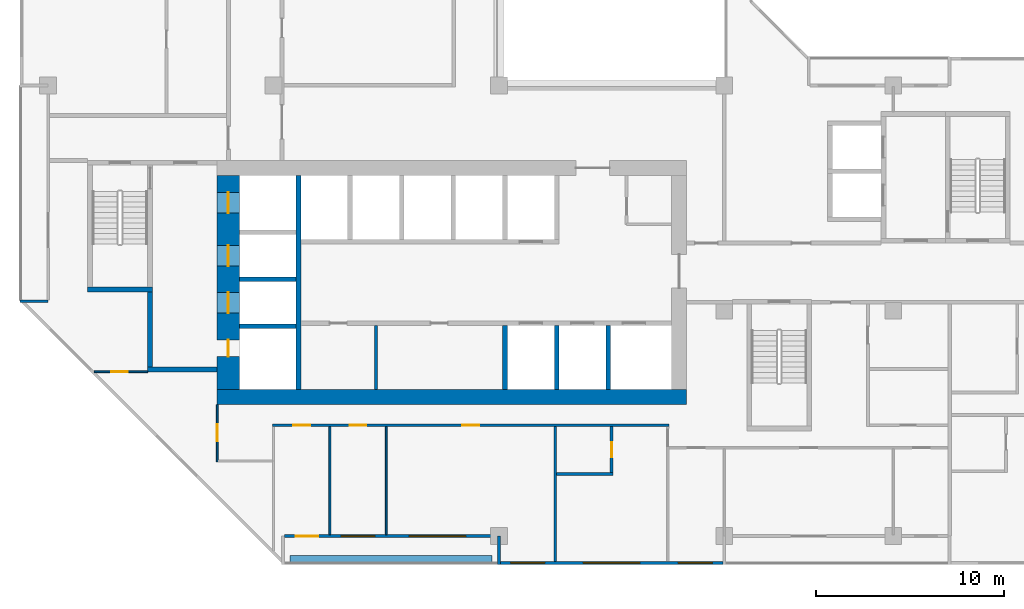
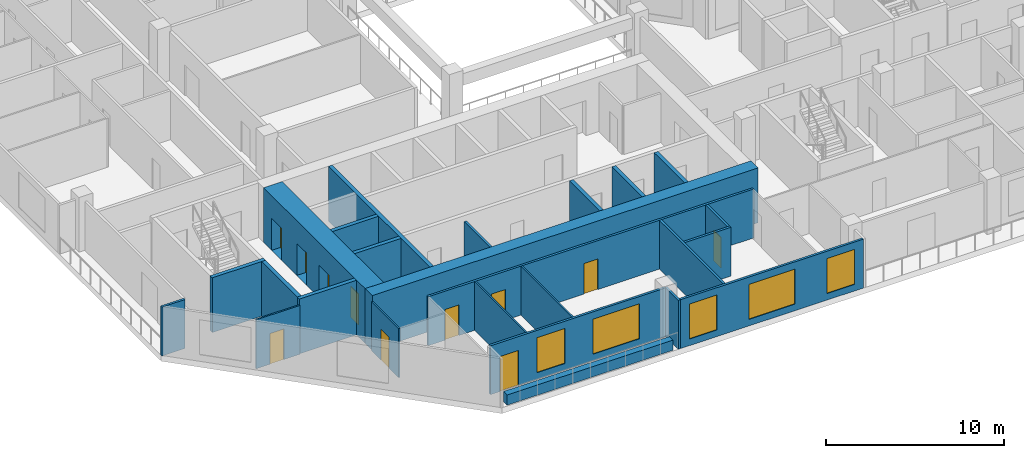
# One storey, part 4 of 14: 25 walls, 11 doors, 5 windows, 16 openings.
"""IFC4 building model written with IfcOpenShell, lengths in metres."""

import ifcopenshell
import ifcopenshell.guid

model = None  # the IFC model being written
_history = None  # IfcOwnerHistory: only IFC2X3 demands one
_inside = {}  # id of a spatial element -> (the spatial element, [elements in it])
_under = {}  # id of a project, library or spatial element -> (it, [spatial elements below it])
_declared = {}  # id of a project -> (the project, [libraries it declares])
_typed = {}  # id of a type object -> (the type object, [elements of that type])
_made_of = {}  # id of a material, layer set ... -> (it, [elements and type objects made of it])


def new_model(schema):
    """Start an empty IFC model of exactly this schema.

    Asked for "IFC4X3", IfcOpenShell would pick the latest addendum, in which some entities
    have other attributes; the version numbers below select the first issue.
    IFC2X3 requires an IfcOwnerHistory on every rooted entity: one is made here for all.
    """
    global model, _history
    if schema == "IFC4X3":
        model = ifcopenshell.file(schema_version=(4, 3, 0, 0))
    else:
        model = ifcopenshell.file(schema=schema)
    _inside.clear()
    _under.clear()
    _declared.clear()
    _typed.clear()
    _made_of.clear()
    _history = None
    if model.schema == "IFC2X3":
        org = make("IfcOrganization", Name="unknown")
        user = make(
            "IfcPersonAndOrganization",
            ThePerson=make("IfcPerson", FamilyName="unknown"),
            TheOrganization=org,
        )
        app = make(
            "IfcApplication",
            ApplicationDeveloper=org,
            Version="unknown",
            ApplicationFullName="unknown",
            ApplicationIdentifier="unknown",
        )
        _history = make(
            "IfcOwnerHistory",
            OwningUser=user,
            OwningApplication=app,
            ChangeAction="ADDED",
            CreationDate=0,
        )
    return model


def make(cls, **values):
    """One entity of the class cls with the attributes given. An attribute that is None is left unset."""
    return model.create_entity(
        cls, **{name: value for name, value in values.items() if value is not None}
    )


def rooted(cls, **values):
    """An entity with a GlobalId (a new one), such as an element, a storey or a relation."""
    return make(cls, GlobalId=ifcopenshell.guid.new(), OwnerHistory=_history, **values)


def si_unit(unit_type, name, prefix=None):
    """IfcSIUnit, for example si_unit("LENGTHUNIT", "METRE", prefix="MILLI")."""
    return make("IfcSIUnit", UnitType=unit_type, Prefix=prefix, Name=name)


def assignment(units):
    """IfcUnitAssignment: the units of a project."""
    return None if units is None else make("IfcUnitAssignment", Units=units)


def point(xyz):
    """IfcCartesianPoint."""
    return None if xyz is None else make("IfcCartesianPoint", Coordinates=xyz)


def direction(xyz):
    """IfcDirection."""
    return None if xyz is None else make("IfcDirection", DirectionRatios=xyz)


def frame(location, z_axis=None, x_axis=None):
    """IfcAxis2Placement3D, a coordinate frame: its origin and axes. An axis left out is left unset."""
    return make(
        "IfcAxis2Placement3D",
        Location=point(location),
        Axis=direction(z_axis),
        RefDirection=direction(x_axis),
    )


def frame_2d(location, x_axis=None):
    """IfcAxis2Placement2D, a coordinate frame in the plane: its origin and x axis."""
    return make(
        "IfcAxis2Placement2D", Location=point(location), RefDirection=direction(x_axis)
    )


def origin():
    """The frame at (0, 0, 0) with its axes left unset."""
    return frame((0.0, 0.0, 0.0))


def place(relative_to, where):
    """IfcLocalPlacement: puts the frame where relative to a parent placement (None: the world)."""
    return make(
        "IfcLocalPlacement", PlacementRelTo=relative_to, RelativePlacement=where
    )


def context(
    kind, dimensions, precision=None, world=None, true_north=None, identifier=None
):
    """IfcGeometricRepresentationContext, for example the 3D "Model" context."""
    return make(
        "IfcGeometricRepresentationContext",
        ContextIdentifier=identifier,
        ContextType=kind,
        CoordinateSpaceDimension=dimensions,
        Precision=precision,
        WorldCoordinateSystem=world,
        TrueNorth=true_north,
    )


def subcontext(parent, identifier, kind, view, scale=None):
    """IfcGeometricRepresentationSubContext, for example "Body" below "Model"."""
    return make(
        "IfcGeometricRepresentationSubContext",
        ContextIdentifier=identifier,
        ContextType=kind,
        ParentContext=parent,
        TargetScale=scale,
        TargetView=view,
    )


def project(units=None, contexts=None):
    """IfcProject with its units and contexts."""
    return rooted(
        "IfcProject",
        Name="project",
        RepresentationContexts=contexts,
        UnitsInContext=assignment(units),
    )


def spatial(cls, under=None, at=None, **own):
    """A site, building, storey or space (cls), placed at a placement, below another one or the project."""
    s = rooted(cls, ObjectPlacement=at, **own)
    if under is not None:
        _under.setdefault(under.id(), (under, []))[1].append(s)
    return s


def profile(cls, at=None, kind="AREA", **sizes):
    """A parametric profile (cls). Its sizes go by their IFC names, for example OverallWidth=200.0."""
    return make(cls, ProfileType=kind, Position=at, **sizes)


def rectangle(**sizes):
    """IfcRectangleProfileDef."""
    return profile("IfcRectangleProfileDef", **sizes)


def extrude(swept, where, along, depth):
    """IfcExtrudedAreaSolid: the profile swept, set in the frame where, extruded along a direction by depth."""
    return make(
        "IfcExtrudedAreaSolid",
        SweptArea=swept,
        Position=where,
        ExtrudedDirection=direction(along),
        Depth=depth,
    )


def shape(context_of_items, identifier, shape_type, items):
    """IfcShapeRepresentation: the items that make up one representation, for example the "Body"."""
    return make(
        "IfcShapeRepresentation",
        ContextOfItems=context_of_items,
        RepresentationIdentifier=identifier,
        RepresentationType=shape_type,
        Items=items,
    )


def material(Name=None, Category=None):
    """IfcMaterial."""
    return make("IfcMaterial", Name=Name, Category=Category)


def layer(
    of_material, thickness, ventilated=None, Name=None, Category=None, Priority=None
):
    """IfcMaterialLayer: one layer of a wall or slab, of a material (None: an air gap)."""
    return make(
        "IfcMaterialLayer",
        Material=of_material,
        LayerThickness=thickness,
        IsVentilated=ventilated,
        Name=Name,
        Category=Category,
        Priority=Priority,
    )


def layer_set(layers, Name=None):
    """IfcMaterialLayerSet."""
    return make("IfcMaterialLayerSet", MaterialLayers=layers, LayerSetName=Name)


def made_of(thing, what):
    """Note that an element or type object is made of a material, layer set ...; save() writes the relation."""
    if what is not None:
        _made_of.setdefault(what.id(), (what, []))[1].append(thing)
    return thing


def type_object(cls, material=None, **own):
    """A type object (cls), such as IfcWallType, which elements share."""
    return made_of(rooted(cls, **own), material)


def element(
    cls,
    number,
    at=None,
    inside=None,
    cuts=None,
    type_object=None,
    material=None,
    context=None,
    identifier="Body",
    shape_type=None,
    held_by="IfcProductDefinitionShape",
    body=None,
    shapes=None,
    **own,
):
    """One element of the class cls, such as IfcWall. Its Tag is "e" and its number.

    at: its placement. inside: the storey or other place that contains it. cuts: it is an
    opening in that element (IfcRelVoidsElement). A single representation is given by context,
    identifier, shape_type and body (its items); several are given by shapes. held_by: the class
    of the entity that holds the representations. save() writes the other relations.
    """
    e = rooted(cls, Tag="e%d" % number, ObjectPlacement=at, **own)
    if body is not None:
        shapes = [shape(context, identifier, shape_type, body)]
    if shapes is not None:
        e.Representation = make(held_by, Representations=shapes)
    if inside is not None:
        _inside.setdefault(inside.id(), (inside, []))[1].append(e)
    if cuts is not None:
        rooted(
            "IfcRelVoidsElement", RelatingBuildingElement=cuts, RelatedOpeningElement=e
        )
    if type_object is not None:
        _typed.setdefault(type_object.id(), (type_object, []))[1].append(e)
    return made_of(e, material)


def fill(opening, filler):
    """IfcRelFillsElement: the door or window that sits in an opening."""
    return rooted(
        "IfcRelFillsElement",
        RelatingOpeningElement=opening,
        RelatedBuildingElement=filler,
    )


def aggregate(whole, parts):
    """IfcRelAggregates: a whole, such as a stair, and the parts it consists of."""
    return rooted("IfcRelAggregates", RelatingObject=whole, RelatedObjects=parts)


def save(model, path):
    """Write the relations noted so far, then the file.

    IfcRelAggregates (storeys below a building ...), IfcRelContainedInSpatialStructure (elements
    in a storey), IfcRelDefinesByType, IfcRelAssociatesMaterial and IfcRelDeclares: one each for
    every whole, place, type object, material and project.
    """
    for whole, parts in _under.values():
        aggregate(whole, parts)
    for where, things in _inside.values():
        rooted(
            "IfcRelContainedInSpatialStructure",
            RelatedElements=things,
            RelatingStructure=where,
        )
    for kind, things in _typed.values():
        rooted("IfcRelDefinesByType", RelatedObjects=things, RelatingType=kind)
    for what, things in _made_of.values():
        rooted("IfcRelAssociatesMaterial", RelatedObjects=things, RelatingMaterial=what)
    for by, libraries in _declared.values():
        rooted("IfcRelDeclares", RelatingContext=by, RelatedDefinitions=libraries)
    model.write(path)


model = new_model("IFC4")

# Units and contexts
model_context = context("Model", 3, precision=1e-05, world=origin(), true_north=direction((0.0, 1.0)))
body_context = subcontext(model_context, "Body", "Model", "MODEL_VIEW")
ifc_project = project(units=[si_unit("LENGTHUNIT", "METRE"), si_unit("AREAUNIT", "SQUARE_METRE"), si_unit("VOLUMEUNIT", "CUBIC_METRE"), si_unit("PLANEANGLEUNIT", "RADIAN"), si_unit("MASSUNIT", "GRAM", prefix="KILO")], contexts=[model_context])

# Site, building, storey
site_placement = place(None, origin())
site = spatial("IfcSite", under=ifc_project, at=site_placement, CompositionType="ELEMENT")
building_placement = place(site_placement, origin())
building = spatial("IfcBuilding", under=site, at=building_placement, Name="Chenar Terraces", CompositionType="ELEMENT")
storey_placement = place(building_placement, frame((0.0, 0.0, 168.64990234375)))
storey = spatial("IfcBuildingStorey", under=building, at=storey_placement, Name="L38", CompositionType="ELEMENT", Elevation=168.64990234375)

# Wall
ifc_material_1 = material(Name="Gypsum board on steel studs", Category="steel")
ifc_layer_1 = layer(ifc_material_1, 0.14990234375)
ifc_layer_set_1 = layer_set([ifc_layer_1], Name="Gypsum board on steel studs")
wall_type_1 = type_object("IfcWallType", Name="Core partition 150 gypsum board", PredefinedType="PARTITIONING", material=ifc_layer_set_1)
wall_1_placement = place(storey_placement, frame((17.449951171875, 7.800048828125, 0.0), z_axis=(0.0, 0.0, 1.0), x_axis=(0.0, 1.0, 0.0)))
element("IfcWall", 1, at=wall_1_placement, inside=storey, type_object=wall_type_1, Name="Core partition CP1 freed bay wall", PredefinedType="PARTITIONING", context=body_context, shape_type="SweptSolid", body=[
    extrude(rectangle(XDim=3.39990234375, YDim=0.14990234375, at=frame_2d((1.699951171875, 0.0))), origin(), (0.0, 0.0, 1.0), 3.35009765625),
])

# Wall, openings, doors
ifc_material_2 = material(Name="Concrete C60/75", Category="concrete")
ifc_layer_2 = layer(ifc_material_2, 1.199951171875)
ifc_layer_set_2 = layer_set([ifc_layer_2], Name="Concrete C60/75")
wall_type_2 = type_object("IfcWallType", Name="Core wall 1200 Concrete C60/75", PredefinedType="SHEAR", material=ifc_layer_set_2)
wall_2_placement = place(storey_placement, frame((9.60009765625, 7.800048828125, 0.0), z_axis=(0.0, 0.0, 1.0), x_axis=(0.0, 1.0, 0.0)))
wall_2 = element("IfcWall", 2, at=wall_2_placement, inside=storey, type_object=wall_type_2, Name="Core wall W L38", PredefinedType="SHEAR", context=body_context, shape_type="SweptSolid", body=[
    extrude(rectangle(XDim=11.39990234375, YDim=1.199951171875, at=frame_2d((5.699951171875, 0.0))), origin(), (0.0, 0.0, 1.0), 3.75),
])
opening_1_placement = place(wall_2_placement, frame((4.074951171875, 0.0, 0.0)))
opening_1 = element("IfcOpeningElement", 3, at=opening_1_placement, cuts=wall_2, Name="Opening DL38-LD5", PredefinedType="OPENING", context=body_context, shape_type="SweptSolid", body=[
    extrude(rectangle(XDim=1.10009765625, YDim=2.199951171875, at=frame_2d((0.550048828125, 1.10009765625))), frame((0.0, 0.60986328125, 0.0), z_axis=(0.0, -1.0, 0.0), x_axis=(1.0, 0.0, 0.0)), (0.0, 0.0, 1.0), 1.219970703125),
])
opening_2_placement = place(wall_2_placement, frame((6.574951171875, 0.0, 0.0)))
opening_2 = element("IfcOpeningElement", 4, at=opening_2_placement, cuts=wall_2, Name="Opening DL38-LD6", PredefinedType="OPENING", context=body_context, shape_type="SweptSolid", body=[
    extrude(rectangle(XDim=1.10009765625, YDim=2.199951171875, at=frame_2d((0.550048828125, 1.10009765625))), frame((0.0, 0.60986328125, 0.0), z_axis=(0.0, -1.0, 0.0), x_axis=(1.0, 0.0, 0.0)), (0.0, 0.0, 1.0), 1.219970703125),
])
opening_3_placement = place(wall_2_placement, frame((9.39990234375, 0.0, 0.0)))
opening_3 = element("IfcOpeningElement", 5, at=opening_3_placement, cuts=wall_2, Name="Opening DL38-LD7", PredefinedType="OPENING", context=body_context, shape_type="SweptSolid", body=[
    extrude(rectangle(XDim=1.10009765625, YDim=2.199951171875, at=frame_2d((0.550048828125, 1.10009765625))), frame((0.0, 0.60986328125, 0.0), z_axis=(0.0, -1.0, 0.0), x_axis=(1.0, 0.0, 0.0)), (0.0, 0.0, 1.0), 1.219970703125),
])
opening_4_placement = place(wall_2_placement, frame((1.75, 0.0, 0.0)))
opening_4 = element("IfcOpeningElement", 6, at=opening_4_placement, cuts=wall_2, Name="Opening DL38-C4", PredefinedType="OPENING", context=body_context, shape_type="SweptSolid", body=[
    extrude(rectangle(XDim=0.89990234375, YDim=2.10009765625, at=frame_2d((0.449951171875, 1.050048828125))), frame((0.0, 0.60986328125, 0.0), z_axis=(0.0, -1.0, 0.0), x_axis=(1.0, 0.0, 0.0)), (0.0, 0.0, 1.0), 1.219970703125),
])
ifc_material_3 = material(Name="Stainless steel", Category="steel")
door_type_1 = type_object("IfcDoorType", Name="Lift landing door 1100 x 2200 sliding", OperationType="DOUBLE_DOOR_SLIDING", PredefinedType="DOOR", material=ifc_material_3)
door_1_placement = place(opening_1_placement, origin())
door_1 = element("IfcDoor", 7, at=door_1_placement, inside=storey, type_object=door_type_1, Name="Landing door S1", OperationType="DOUBLE_DOOR_SLIDING", OverallHeight=2.199951171875, OverallWidth=1.10009765625, PredefinedType="DOOR", context=body_context, shape_type="SweptSolid", body=[
    extrude(rectangle(XDim=1.10009765625, YDim=2.199951171875, at=frame_2d((0.550048828125, 1.10009765625))), frame((0.0, 0.02490234375, 0.0), z_axis=(0.0, -1.0, 0.0), x_axis=(1.0, 0.0, 0.0)), (0.0, 0.0, 1.0), 0.050048828125),
])
fill(opening_1, door_1)
door_2_placement = place(opening_2_placement, origin())
door_2 = element("IfcDoor", 8, at=door_2_placement, inside=storey, type_object=door_type_1, Name="Landing door F1", OperationType="DOUBLE_DOOR_SLIDING", OverallHeight=2.199951171875, OverallWidth=1.10009765625, PredefinedType="DOOR", context=body_context, shape_type="SweptSolid", body=[
    extrude(rectangle(XDim=1.10009765625, YDim=2.199951171875, at=frame_2d((0.550048828125, 1.10009765625))), frame((0.0, 0.02490234375, 0.0), z_axis=(0.0, -1.0, 0.0), x_axis=(1.0, 0.0, 0.0)), (0.0, 0.0, 1.0), 0.050048828125),
])
fill(opening_2, door_2)
door_3_placement = place(opening_3_placement, origin())
door_3 = element("IfcDoor", 9, at=door_3_placement, inside=storey, type_object=door_type_1, Name="Landing door F2", OperationType="DOUBLE_DOOR_SLIDING", OverallHeight=2.199951171875, OverallWidth=1.10009765625, PredefinedType="DOOR", context=body_context, shape_type="SweptSolid", body=[
    extrude(rectangle(XDim=1.10009765625, YDim=2.199951171875, at=frame_2d((0.550048828125, 1.10009765625))), frame((0.0, 0.02490234375, 0.0), z_axis=(0.0, -1.0, 0.0), x_axis=(1.0, 0.0, 0.0)), (0.0, 0.0, 1.0), 0.050048828125),
])
fill(opening_3, door_3)
ifc_material_4 = material(Name="Steel-framed fire-resisting door leaf", Category="steel")
door_type_2 = type_object("IfcDoorType", Name="Riser fire door FD60 900 x 2100", OperationType="SINGLE_SWING_LEFT", PredefinedType="DOOR", material=ifc_material_4)
door_4_placement = place(opening_4_placement, frame((0.89990234375, 0.0, 0.0), z_axis=(0.0, 0.0, 1.0), x_axis=(-1.0, 0.0, 0.0)))
door_4 = element("IfcDoor", 10, at=door_4_placement, inside=storey, type_object=door_type_2, Name="Riser door DL38-C4", OperationType="SINGLE_SWING_LEFT", OverallHeight=2.10009765625, OverallWidth=0.89990234375, PredefinedType="DOOR", context=body_context, shape_type="SweptSolid", body=[
    extrude(rectangle(XDim=0.89990234375, YDim=2.10009765625, at=frame_2d((0.449951171875, 1.050048828125))), frame((0.0, 0.02490234375, 0.0), z_axis=(0.0, -1.0, 0.0), x_axis=(1.0, 0.0, 0.0)), (0.0, 0.0, 1.0), 0.050048828125),
])
fill(opening_4, door_4)

# Walls
ifc_material_5 = material(Name="Concrete C60/75", Category="concrete")
ifc_layer_3 = layer(ifc_material_5, 0.25)
ifc_layer_set_3 = layer_set([ifc_layer_3], Name="Concrete C60/75")
wall_type_3 = type_object("IfcWallType", Name="Core wall 250 Concrete C60/75", PredefinedType="SHEAR", material=ifc_layer_set_3)
wall_3_placement = place(storey_placement, frame((13.324951171875, 7.800048828125, 0.0), z_axis=(0.0, 0.0, 1.0), x_axis=(0.0, 1.0, 0.0)))
element("IfcWall", 11, at=wall_3_placement, inside=storey, type_object=wall_type_3, Name="Core wall WI L38", PredefinedType="SHEAR", context=body_context, shape_type="SweptSolid", body=[
    extrude(rectangle(XDim=11.39990234375, YDim=0.25, at=frame_2d((5.699951171875, 0.0))), origin(), (0.0, 0.0, 1.0), 3.75),
])
for number, where, z_axis, x_axis, name in (
    (12, (10.199951171875, 11.175048828125, 0.0), (0.0, 0.0, 1.0), (1.0, 0.0, 0.0), "Core wall HW0 L38"),
    (13, (10.199951171875, 13.675048828125, 0.0), (0.0, 0.0, 1.0), (1.0, 0.0, 0.0), "Core wall HW1 L38"),
):
    element("IfcWall", number, at=place(storey_placement, frame(where, z_axis=z_axis, x_axis=x_axis)), inside=storey, type_object=wall_type_3, Name=name, PredefinedType="SHEAR", context=body_context, shape_type="SweptSolid", body=[
        extrude(rectangle(XDim=3.0, YDim=0.25, at=frame_2d((1.5, 0.0))), origin(), (0.0, 0.0, 1.0), 3.75),
    ])
for number, where, z_axis, x_axis, name in (
    (14, (24.324951171875, 7.800048828125, 0.0), (0.0, 0.0, 1.0), (0.0, 1.0, 0.0), "Core wall SS3 L38"),
    (15, (27.074951171875, 7.800048828125, 0.0), (0.0, 0.0, 1.0), (0.0, 1.0, 0.0), "Core wall SS4 L38"),
    (16, (29.824951171875, 7.800048828125, 0.0), (0.0, 0.0, 1.0), (0.0, 1.0, 0.0), "Core wall SS5 L38"),
):
    element("IfcWall", number, at=place(storey_placement, frame(where, z_axis=z_axis, x_axis=x_axis)), inside=storey, type_object=wall_type_3, Name=name, PredefinedType="SHEAR", context=body_context, shape_type="SweptSolid", body=[
        extrude(rectangle(XDim=3.39990234375, YDim=0.25, at=frame_2d((1.699951171875, 0.0))), origin(), (0.0, 0.0, 1.0), 3.75),
    ])
wall_4_placement = place(storey_placement, frame((2.10009765625, 13.125, 0.0), z_axis=(0.0, 0.0, 1.0), x_axis=(1.0, 0.0, 0.0)))
element("IfcWall", 17, at=wall_4_placement, inside=storey, type_object=wall_type_3, Name="Core wall ST1_S L38", PredefinedType="SHEAR", context=body_context, shape_type="SweptSolid", body=[
    extrude(rectangle(XDim=3.449951171875, YDim=0.25, at=frame_2d((1.72509765625, 0.0))), origin(), (0.0, 0.0, 1.0), 3.75),
])
wall_5_placement = place(storey_placement, frame((5.300048828125, 8.875, 0.0), z_axis=(0.0, 0.0, 1.0), x_axis=(1.0, 0.0, 0.0)))
element("IfcWall", 18, at=wall_5_placement, inside=storey, type_object=wall_type_3, Name="Core wall FFL_S L38", PredefinedType="SHEAR", context=body_context, shape_type="SweptSolid", body=[
    extrude(rectangle(XDim=3.699951171875, YDim=0.25, at=frame_2d((1.85009765625, 0.0))), origin(), (0.0, 0.0, 1.0), 3.75),
])
wall_6_placement = place(storey_placement, frame((5.425048828125, 9.0, 0.0), z_axis=(0.0, 0.0, 1.0), x_axis=(0.0, 1.0, 0.0)))
element("IfcWall", 19, at=wall_6_placement, inside=storey, type_object=wall_type_3, Name="Core wall FFL_W L38", PredefinedType="SHEAR", context=body_context, shape_type="SweptSolid", body=[
    extrude(rectangle(XDim=4.0, YDim=0.25, at=frame_2d((2.0, 0.0))), origin(), (0.0, 0.0, 1.0), 3.75),
])
ifc_material_6 = material(Name="Concrete C60/75", Category="concrete")
ifc_layer_4 = layer(ifc_material_6, 0.800048828125)
ifc_layer_set_4 = layer_set([ifc_layer_4], Name="Concrete C60/75")
wall_type_4 = type_object("IfcWallType", Name="Core wall 800 Concrete C60/75", PredefinedType="SHEAR", material=ifc_layer_set_4)
wall_7_placement = place(storey_placement, frame((9.0, 7.39990234375, 0.0), z_axis=(0.0, 0.0, 1.0), x_axis=(1.0, 0.0, 0.0)))
element("IfcWall", 20, at=wall_7_placement, inside=storey, type_object=wall_type_4, Name="Core wall S L38", PredefinedType="SHEAR", context=body_context, shape_type="SweptSolid", body=[
    extrude(rectangle(XDim=25.0, YDim=0.800048828125, at=frame_2d((12.5, 0.0))), origin(), (0.0, 0.0, 1.0), 3.75),
])

# Wall, openings, windows
ifc_material_7 = material(Name="Aluminium framed glazing", Category="aluminium")
ifc_layer_5 = layer(ifc_material_7, 0.14990234375)
ifc_layer_set_5 = layer_set([ifc_layer_5], Name="Aluminium framed glazing")
wall_type_5 = type_object("IfcWallType", Name="Glazed flush facade wall 150", PredefinedType="SOLIDWALL", material=ifc_layer_set_5)
wall_8_placement = place(storey_placement, frame((24.074951171875, -1.425048828125, 0.0), z_axis=(0.0, 0.0, 1.0), x_axis=(1.0, 0.0, 0.0)))
wall_8 = element("IfcWall", 21, at=wall_8_placement, inside=storey, type_object=wall_type_5, Name="Glazed flush facade wall", PredefinedType="SOLIDWALL", context=body_context, shape_type="SweptSolid", body=[
    extrude(rectangle(XDim=11.85009765625, YDim=0.14990234375, at=frame_2d((5.925048828125, 0.0))), origin(), (0.0, 0.0, 1.0), 3.35009765625),
])
opening_5_placement = place(wall_8_placement, frame((0.5625, 0.0, 0.449951171875)))
opening_5 = element("IfcOpeningElement", 22, at=opening_5_placement, cuts=wall_8, Name="Opening W180x240", PredefinedType="OPENING", context=body_context, shape_type="SweptSolid", body=[
    extrude(rectangle(XDim=1.800048828125, YDim=2.39990234375, at=frame_2d((0.89990234375, 1.199951171875))), frame((0.0, 0.0849609375, 0.0), z_axis=(0.0, -1.0, 0.0), x_axis=(1.0, 0.0, 0.0)), (0.0, 0.0, 1.0), 0.169921875),
])
opening_6_placement = place(wall_8_placement, frame((4.425048828125, 0.0, 0.449951171875)))
opening_6 = element("IfcOpeningElement", 23, at=opening_6_placement, cuts=wall_8, Name="Opening W300x240", PredefinedType="OPENING", context=body_context, shape_type="SweptSolid", body=[
    extrude(rectangle(XDim=3.0, YDim=2.39990234375, at=frame_2d((1.5, 1.199951171875))), frame((0.0, 0.0849609375, 0.0), z_axis=(0.0, -1.0, 0.0), x_axis=(1.0, 0.0, 0.0)), (0.0, 0.0, 1.0), 0.169921875),
])
opening_7_placement = place(wall_8_placement, frame((9.487548828125, 0.0, 0.449951171875)))
opening_7 = element("IfcOpeningElement", 24, at=opening_7_placement, cuts=wall_8, Name="Opening W180x240", PredefinedType="OPENING", context=body_context, shape_type="SweptSolid", body=[
    extrude(rectangle(XDim=1.800048828125, YDim=2.39990234375, at=frame_2d((0.89990234375, 1.199951171875))), frame((0.0, 0.0849609375, 0.0), z_axis=(0.0, -1.0, 0.0), x_axis=(1.0, 0.0, 0.0)), (0.0, 0.0, 1.0), 0.169921875),
])
ifc_material_8 = material(Name="Low emissivity double glazing, aluminium frame", Category="aluminium")
window_type_1 = type_object("IfcWindowType", Name="Fixed light 1800 x 2400", PartitioningType="SINGLE_PANEL", PredefinedType="WINDOW", material=ifc_material_8)
window_1_placement = place(opening_5_placement, origin())
window_1 = element("IfcWindow", 25, at=window_1_placement, inside=storey, type_object=window_type_1, Name="Window", OverallHeight=2.39990234375, OverallWidth=1.800048828125, PartitioningType="SINGLE_PANEL", PredefinedType="WINDOW", context=body_context, shape_type="SweptSolid", body=[
    extrude(rectangle(XDim=1.800048828125, YDim=2.39990234375, at=frame_2d((0.89990234375, 1.199951171875))), frame((0.0, 0.030029296875, 0.0), z_axis=(0.0, -1.0, 0.0), x_axis=(1.0, 0.0, 0.0)), (0.0, 0.0, 1.0), 0.06005859375),
])
fill(opening_5, window_1)
window_2_placement = place(opening_7_placement, origin())
window_2 = element("IfcWindow", 26, at=window_2_placement, inside=storey, type_object=window_type_1, Name="Window", OverallHeight=2.39990234375, OverallWidth=1.800048828125, PartitioningType="SINGLE_PANEL", PredefinedType="WINDOW", context=body_context, shape_type="SweptSolid", body=[
    extrude(rectangle(XDim=1.800048828125, YDim=2.39990234375, at=frame_2d((0.89990234375, 1.199951171875))), frame((0.0, 0.030029296875, 0.0), z_axis=(0.0, -1.0, 0.0), x_axis=(1.0, 0.0, 0.0)), (0.0, 0.0, 1.0), 0.06005859375),
])
fill(opening_7, window_2)
ifc_material_9 = material(Name="Low emissivity double glazing, aluminium frame", Category="aluminium")
window_type_2 = type_object("IfcWindowType", Name="Fixed light 3000 x 2400", PartitioningType="SINGLE_PANEL", PredefinedType="WINDOW", material=ifc_material_9)
window_3_placement = place(opening_6_placement, origin())
window_3 = element("IfcWindow", 27, at=window_3_placement, inside=storey, type_object=window_type_2, Name="Window", OverallHeight=2.39990234375, OverallWidth=3.0, PartitioningType="SINGLE_PANEL", PredefinedType="WINDOW", context=body_context, shape_type="SweptSolid", body=[
    extrude(rectangle(XDim=3.0, YDim=2.39990234375, at=frame_2d((1.5, 1.199951171875))), frame((0.0, 0.030029296875, 0.0), z_axis=(0.0, -1.0, 0.0), x_axis=(1.0, 0.0, 0.0)), (0.0, 0.0, 1.0), 0.06005859375),
])
fill(opening_6, window_3)

# Wall, openings, windows, door
ifc_material_10 = material(Name="Aluminium framed glazing", Category="aluminium")
ifc_layer_6 = layer(ifc_material_10, 0.14990234375)
ifc_layer_set_6 = layer_set([ifc_layer_6], Name="Aluminium framed glazing")
wall_type_6 = type_object("IfcWallType", Name="Glazed loggia back wall 150", PredefinedType="SOLIDWALL", material=ifc_layer_set_6)
wall_9_placement = place(storey_placement, frame((12.574951171875, 0.0, 0.0), z_axis=(0.0, 0.0, 1.0), x_axis=(1.0, 0.0, 0.0)))
wall_9 = element("IfcWall", 28, at=wall_9_placement, inside=storey, type_object=wall_type_6, Name="Glazed loggia back wall", PredefinedType="SOLIDWALL", context=body_context, shape_type="SweptSolid", body=[
    extrude(rectangle(XDim=11.35009765625, YDim=0.14990234375, at=frame_2d((5.675048828125, 0.0))), origin(), (0.0, 0.0, 1.0), 3.35009765625),
])
opening_8_placement = place(wall_9_placement, frame((0.612548828125, 0.0, 0.0)))
opening_8 = element("IfcOpeningElement", 29, at=opening_8_placement, cuts=wall_9, Name="Opening DL38-G5", PredefinedType="OPENING", context=body_context, shape_type="SweptSolid", body=[
    extrude(rectangle(XDim=1.199951171875, YDim=2.39990234375, at=frame_2d((0.60009765625, 1.199951171875))), frame((0.0, 0.0849609375, 0.0), z_axis=(0.0, -1.0, 0.0), x_axis=(1.0, 0.0, 0.0)), (0.0, 0.0, 1.0), 0.169921875),
])
opening_9_placement = place(wall_9_placement, frame((3.02490234375, 0.0, 0.449951171875)))
opening_9 = element("IfcOpeningElement", 30, at=opening_9_placement, cuts=wall_9, Name="Opening W180x240", PredefinedType="OPENING", context=body_context, shape_type="SweptSolid", body=[
    extrude(rectangle(XDim=1.800048828125, YDim=2.39990234375, at=frame_2d((0.89990234375, 1.199951171875))), frame((0.0, 0.0849609375, 0.0), z_axis=(0.0, -1.0, 0.0), x_axis=(1.0, 0.0, 0.0)), (0.0, 0.0, 1.0), 0.169921875),
])
opening_10_placement = place(wall_9_placement, frame((6.64990234375, 0.0, 0.449951171875)))
opening_10 = element("IfcOpeningElement", 31, at=opening_10_placement, cuts=wall_9, Name="Opening W300x240", PredefinedType="OPENING", context=body_context, shape_type="SweptSolid", body=[
    extrude(rectangle(XDim=3.0, YDim=2.39990234375, at=frame_2d((1.5, 1.199951171875))), frame((0.0, 0.0849609375, 0.0), z_axis=(0.0, -1.0, 0.0), x_axis=(1.0, 0.0, 0.0)), (0.0, 0.0, 1.0), 0.169921875),
])
window_4_placement = place(opening_9_placement, origin())
window_4 = element("IfcWindow", 32, at=window_4_placement, inside=storey, type_object=window_type_1, Name="Window", OverallHeight=2.39990234375, OverallWidth=1.800048828125, PartitioningType="SINGLE_PANEL", PredefinedType="WINDOW", context=body_context, shape_type="SweptSolid", body=[
    extrude(rectangle(XDim=1.800048828125, YDim=2.39990234375, at=frame_2d((0.89990234375, 1.199951171875))), frame((0.0, 0.030029296875, 0.0), z_axis=(0.0, -1.0, 0.0), x_axis=(1.0, 0.0, 0.0)), (0.0, 0.0, 1.0), 0.06005859375),
])
fill(opening_9, window_4)
window_5_placement = place(opening_10_placement, origin())
window_5 = element("IfcWindow", 33, at=window_5_placement, inside=storey, type_object=window_type_2, Name="Window", OverallHeight=2.39990234375, OverallWidth=3.0, PartitioningType="SINGLE_PANEL", PredefinedType="WINDOW", context=body_context, shape_type="SweptSolid", body=[
    extrude(rectangle(XDim=3.0, YDim=2.39990234375, at=frame_2d((1.5, 1.199951171875))), frame((0.0, 0.030029296875, 0.0), z_axis=(0.0, -1.0, 0.0), x_axis=(1.0, 0.0, 0.0)), (0.0, 0.0, 1.0), 0.06005859375),
])
fill(opening_10, window_5)
ifc_material_11 = material(Name="Low emissivity double glazing, aluminium frame", Category="aluminium")
door_type_3 = type_object("IfcDoorType", Name="Loggia glazed double door 1200 x 2400", OperationType="DOUBLE_DOOR_SINGLE_SWING", PredefinedType="DOOR", material=ifc_material_11)
door_5_placement = place(opening_8_placement, frame((1.199951171875, 0.0, 0.0), z_axis=(0.0, 0.0, 1.0), x_axis=(-1.0, 0.0, 0.0)))
door_5 = element("IfcDoor", 34, at=door_5_placement, inside=storey, type_object=door_type_3, Name="Loggia glazed door", OperationType="DOUBLE_DOOR_SINGLE_SWING", OverallHeight=2.39990234375, OverallWidth=1.199951171875, PredefinedType="DOOR", context=body_context, shape_type="SweptSolid", body=[
    extrude(rectangle(XDim=1.199951171875, YDim=2.39990234375, at=frame_2d((0.60009765625, 1.199951171875))), frame((0.0, 0.02490234375, 0.0), z_axis=(0.0, -1.0, 0.0), x_axis=(1.0, 0.0, 0.0)), (0.0, 0.0, 1.0), 0.050048828125),
])
fill(opening_8, door_5)

# Wall, opening, door
ifc_material_12 = material(Name="Gypsum board on steel studs", Category="steel")
ifc_layer_7 = layer(ifc_material_12, 0.10009765625)
ifc_layer_set_7 = layer_set([ifc_layer_7], Name="Gypsum board on steel studs")
wall_type_7 = type_object("IfcWallType", Name="Gypsum partition 100", PredefinedType="PARTITIONING", material=ifc_layer_set_7)
wall_10_placement = place(storey_placement, frame((2.4609375, 8.75, 0.0), z_axis=(0.0, 0.0, 1.0), x_axis=(1.0, 0.0, 0.0)))
wall_10 = element("IfcWall", 35, at=wall_10_placement, inside=storey, type_object=wall_type_7, Name="Partition L38-012", PredefinedType="PARTITIONING", context=body_context, shape_type="SweptSolid", body=[
    extrude(rectangle(XDim=2.839111328125, YDim=0.10009765625, at=frame_2d((1.41943359375, 0.0))), origin(), (0.0, 0.0, 1.0), 3.35009765625),
])
opening_11_placement = place(wall_10_placement, frame((0.888916015625, 0.0, 0.0)))
opening_11 = element("IfcOpeningElement", 36, at=opening_11_placement, cuts=wall_10, Name="Opening DL38-51", PredefinedType="OPENING", context=body_context, shape_type="SweptSolid", body=[
    extrude(rectangle(XDim=0.89990234375, YDim=2.10009765625, at=frame_2d((0.449951171875, 1.050048828125))), frame((0.0, 0.06005859375, 0.0), z_axis=(0.0, -1.0, 0.0), x_axis=(1.0, 0.0, 0.0)), (0.0, 0.0, 1.0), 0.1201171875),
])
ifc_material_13 = material(Name="Veneered timber door leaf", Category="wood")
door_type_4 = type_object("IfcDoorType", Name="Door 900 x 2100", OperationType="SINGLE_SWING_LEFT", PredefinedType="DOOR", material=ifc_material_13)
door_6_placement = place(opening_11_placement, frame((0.89990234375, 0.0, 0.0), z_axis=(0.0, 0.0, 1.0), x_axis=(-1.0, 0.0, 0.0)))
door_6 = element("IfcDoor", 37, at=door_6_placement, inside=storey, type_object=door_type_4, Name="Door DL38-51", OperationType="SINGLE_SWING_RIGHT", OverallHeight=2.10009765625, OverallWidth=0.89990234375, PredefinedType="DOOR", context=body_context, shape_type="SweptSolid", body=[
    extrude(rectangle(XDim=0.89990234375, YDim=2.10009765625, at=frame_2d((0.449951171875, 1.050048828125))), frame((0.0, 0.02490234375, 0.0), z_axis=(0.0, -1.0, 0.0), x_axis=(1.0, 0.0, 0.0)), (0.0, 0.0, 1.0), 0.050048828125),
])
fill(opening_11, door_6)

wall_11_placement = place(storey_placement, frame((9.0, 3.949951171875, 0.0), z_axis=(0.0, 0.0, 1.0), x_axis=(0.0, 1.0, 0.0)))
wall_11 = element("IfcWall", 38, at=wall_11_placement, inside=storey, type_object=wall_type_7, Name="Partition L38-026", PredefinedType="PARTITIONING", context=body_context, shape_type="SweptSolid", body=[
    extrude(rectangle(XDim=3.050048828125, YDim=0.10009765625, at=frame_2d((1.52490234375, 0.0))), origin(), (0.0, 0.0, 1.0), 3.35009765625),
])
opening_12_placement = place(wall_11_placement, frame((1.10009765625, 0.0, 0.0)))
opening_12 = element("IfcOpeningElement", 39, at=opening_12_placement, cuts=wall_11, Name="Opening DL38-50", PredefinedType="OPENING", context=body_context, shape_type="SweptSolid", body=[
    extrude(rectangle(XDim=0.89990234375, YDim=2.10009765625, at=frame_2d((0.449951171875, 1.050048828125))), frame((0.0, 0.06005859375, 0.0), z_axis=(0.0, -1.0, 0.0), x_axis=(1.0, 0.0, 0.0)), (0.0, 0.0, 1.0), 0.1201171875),
])
door_7_placement = place(opening_12_placement, origin())
door_7 = element("IfcDoor", 40, at=door_7_placement, inside=storey, type_object=door_type_4, Name="Door DL38-50", OperationType="SINGLE_SWING_LEFT", OverallHeight=2.10009765625, OverallWidth=0.89990234375, PredefinedType="DOOR", context=body_context, shape_type="SweptSolid", body=[
    extrude(rectangle(XDim=0.89990234375, YDim=2.10009765625, at=frame_2d((0.449951171875, 1.050048828125))), frame((0.0, 0.02490234375, 0.0), z_axis=(0.0, -1.0, 0.0), x_axis=(1.0, 0.0, 0.0)), (0.0, 0.0, 1.0), 0.050048828125),
])
fill(opening_12, door_7)

# Walls
for number, where, z_axis, x_axis, name in (
    (41, (15.0, 0.073974609375, 0.0), (0.0, 0.0, 1.0), (0.0, 1.0, 0.0), "Partition L38-041"),
    (42, (18.0, 0.073974609375, 0.0), (0.0, 0.0, 1.0), (0.0, 1.0, 0.0), "Partition L38-046"),
):
    element("IfcWall", number, at=place(storey_placement, frame(where, z_axis=z_axis, x_axis=x_axis)), inside=storey, type_object=wall_type_7, Name=name, PredefinedType="PARTITIONING", context=body_context, shape_type="SweptSolid", body=[
        extrude(rectangle(XDim=5.7509765625, YDim=0.10009765625, at=frame_2d((2.87548828125, 0.0))), origin(), (0.0, 0.0, 1.0), 3.35009765625),
    ])
ifc_material_14 = material(Name="Terracotta cladding on insulated backing", Category="masonry")
ifc_layer_8 = layer(ifc_material_14, 0.14990234375)
ifc_layer_set_8 = layer_set([ifc_layer_8], Name="Terracotta cladding on insulated backing")
wall_type_8 = type_object("IfcWallType", Name="Loggia return wall 150", PredefinedType="SOLIDWALL", material=ifc_layer_set_8)
for number, where, z_axis, x_axis, name in (
    (43, (-1.5, 12.5, 0.0), (0.0, 0.0, 1.0), (1.0, 0.0, 0.0), "Loggia return wall"),
    (44, (24.0, -1.5, 0.0), (0.0, 0.0, 1.0), (0.0, 1.0, 0.0), "Loggia return wall"),
):
    element("IfcWall", number, at=place(storey_placement, frame(where, z_axis=z_axis, x_axis=x_axis)), inside=storey, type_object=wall_type_8, Name=name, PredefinedType="SOLIDWALL", context=body_context, shape_type="SweptSolid", body=[
        extrude(rectangle(XDim=1.5, YDim=0.14990234375, at=frame_2d((0.75, 0.0))), origin(), (0.0, 0.0, 1.0), 3.35009765625),
    ])
ifc_material_15 = material(Name="GRP planter trough")
ifc_layer_9 = layer(ifc_material_15, 0.39990234375)
ifc_layer_set_9 = layer_set([ifc_layer_9], Name="GRP planter trough")
wall_type_9 = type_object("IfcWallType", Name="Vertical greenery planter 400", PredefinedType="SOLIDWALL", material=ifc_layer_set_9)
wall_12_placement = place(storey_placement, frame((12.875, -1.22900390625, 0.0), z_axis=(0.0, 0.0, 1.0), x_axis=(1.0, 0.0, 0.0)))
element("IfcWall", 45, at=wall_12_placement, inside=storey, type_object=wall_type_9, Name="Vertical greenery planter", PredefinedType="SOLIDWALL", context=body_context, shape_type="SweptSolid", body=[
    extrude(rectangle(XDim=10.75, YDim=0.39990234375, at=frame_2d((5.375, 0.0))), origin(), (0.0, 0.0, 1.0), 0.7001953125),
])

# Wall, openings, doors
ifc_material_16 = material(Name="Moisture-resistant gypsum board on steel studs", Category="steel")
ifc_layer_10 = layer(ifc_material_16, 0.14990234375)
ifc_layer_set_10 = layer_set([ifc_layer_10], Name="Moisture-resistant gypsum board on steel studs")
wall_type_10 = type_object("IfcWallType", Name="Wet-room partition 150", PredefinedType="PARTITIONING", material=ifc_layer_set_10)
wall_13_placement = place(storey_placement, frame((11.949951171875, 5.89990234375, 0.0), z_axis=(0.0, 0.0, 1.0), x_axis=(1.0, 0.0, 0.0)))
wall_13 = element("IfcWall", 46, at=wall_13_placement, inside=storey, type_object=wall_type_10, Name="Partition L38-029", PredefinedType="PARTITIONING", context=body_context, shape_type="SweptSolid", body=[
    extrude(rectangle(XDim=21.10009765625, YDim=0.14990234375, at=frame_2d((10.550048828125, 0.0))), origin(), (0.0, 0.0, 1.0), 3.35009765625),
])
opening_13_placement = place(wall_13_placement, frame((1.10009765625, 0.0, 0.0)))
opening_13 = element("IfcOpeningElement", 47, at=opening_13_placement, cuts=wall_13, Name="Opening DL38-46", PredefinedType="OPENING", context=body_context, shape_type="SweptSolid", body=[
    extrude(rectangle(XDim=0.89990234375, YDim=2.10009765625, at=frame_2d((0.449951171875, 1.050048828125))), frame((0.0, 0.0849609375, 0.0), z_axis=(0.0, -1.0, 0.0), x_axis=(1.0, 0.0, 0.0)), (0.0, 0.0, 1.0), 0.169921875),
])
opening_14_placement = place(wall_13_placement, frame((4.10009765625, 0.0, 0.0)))
opening_14 = element("IfcOpeningElement", 48, at=opening_14_placement, cuts=wall_13, Name="Opening DL38-47", PredefinedType="OPENING", context=body_context, shape_type="SweptSolid", body=[
    extrude(rectangle(XDim=0.89990234375, YDim=2.10009765625, at=frame_2d((0.449951171875, 1.050048828125))), frame((0.0, 0.0849609375, 0.0), z_axis=(0.0, -1.0, 0.0), x_axis=(1.0, 0.0, 0.0)), (0.0, 0.0, 1.0), 0.169921875),
])
opening_15_placement = place(wall_13_placement, frame((10.10009765625, 0.0, 0.0)))
opening_15 = element("IfcOpeningElement", 49, at=opening_15_placement, cuts=wall_13, Name="Opening DL38-56", PredefinedType="OPENING", context=body_context, shape_type="SweptSolid", body=[
    extrude(rectangle(XDim=0.89990234375, YDim=2.10009765625, at=frame_2d((0.449951171875, 1.050048828125))), frame((0.0, 0.0849609375, 0.0), z_axis=(0.0, -1.0, 0.0), x_axis=(1.0, 0.0, 0.0)), (0.0, 0.0, 1.0), 0.169921875),
])
door_8_placement = place(opening_13_placement, frame((0.89990234375, 0.0, 0.0), z_axis=(0.0, 0.0, 1.0), x_axis=(-1.0, 0.0, 0.0)))
door_8 = element("IfcDoor", 50, at=door_8_placement, inside=storey, type_object=door_type_4, Name="Door DL38-46", OperationType="SINGLE_SWING_RIGHT", OverallHeight=2.10009765625, OverallWidth=0.89990234375, PredefinedType="DOOR", context=body_context, shape_type="SweptSolid", body=[
    extrude(rectangle(XDim=0.89990234375, YDim=2.10009765625, at=frame_2d((0.449951171875, 1.050048828125))), frame((0.0, 0.02490234375, 0.0), z_axis=(0.0, -1.0, 0.0), x_axis=(1.0, 0.0, 0.0)), (0.0, 0.0, 1.0), 0.050048828125),
])
fill(opening_13, door_8)
door_9_placement = place(opening_14_placement, frame((0.89990234375, 0.0, 0.0), z_axis=(0.0, 0.0, 1.0), x_axis=(-1.0, 0.0, 0.0)))
door_9 = element("IfcDoor", 51, at=door_9_placement, inside=storey, type_object=door_type_4, Name="Door DL38-47", OperationType="SINGLE_SWING_RIGHT", OverallHeight=2.10009765625, OverallWidth=0.89990234375, PredefinedType="DOOR", context=body_context, shape_type="SweptSolid", body=[
    extrude(rectangle(XDim=0.89990234375, YDim=2.10009765625, at=frame_2d((0.449951171875, 1.050048828125))), frame((0.0, 0.02490234375, 0.0), z_axis=(0.0, -1.0, 0.0), x_axis=(1.0, 0.0, 0.0)), (0.0, 0.0, 1.0), 0.050048828125),
])
fill(opening_14, door_9)
door_10_placement = place(opening_15_placement, frame((0.89990234375, 0.0, 0.0), z_axis=(0.0, 0.0, 1.0), x_axis=(-1.0, 0.0, 0.0)))
door_10 = element("IfcDoor", 52, at=door_10_placement, inside=storey, type_object=door_type_4, Name="Door DL38-56", OperationType="SINGLE_SWING_RIGHT", OverallHeight=2.10009765625, OverallWidth=0.89990234375, PredefinedType="DOOR", context=body_context, shape_type="SweptSolid", body=[
    extrude(rectangle(XDim=0.89990234375, YDim=2.10009765625, at=frame_2d((0.449951171875, 1.050048828125))), frame((0.0, 0.02490234375, 0.0), z_axis=(0.0, -1.0, 0.0), x_axis=(1.0, 0.0, 0.0)), (0.0, 0.0, 1.0), 0.050048828125),
])
fill(opening_15, door_10)

# Walls
wall_14_placement = place(storey_placement, frame((27.0, -1.35009765625, 0.0), z_axis=(0.0, 0.0, 1.0), x_axis=(0.0, 1.0, 0.0)))
element("IfcWall", 53, at=wall_14_placement, inside=storey, type_object=wall_type_10, Name="Partition L38-054", PredefinedType="PARTITIONING", context=body_context, shape_type="SweptSolid", body=[
    extrude(rectangle(XDim=7.175048828125, YDim=0.14990234375, at=frame_2d((3.58740234375, 0.0))), origin(), (0.0, 0.0, 1.0), 3.35009765625),
])
wall_15_placement = place(storey_placement, frame((27.074951171875, 3.300048828125, 0.0), z_axis=(0.0, 0.0, 1.0), x_axis=(1.0, 0.0, 0.0)))
element("IfcWall", 54, at=wall_15_placement, inside=storey, type_object=wall_type_10, Name="Partition L38-055", PredefinedType="PARTITIONING", context=body_context, shape_type="SweptSolid", body=[
    extrude(rectangle(XDim=3.0, YDim=0.14990234375, at=frame_2d((1.5, 0.0))), origin(), (0.0, 0.0, 1.0), 3.35009765625),
])

# Wall, opening, door
wall_16_placement = place(storey_placement, frame((30.0, 3.375, 0.0), z_axis=(0.0, 0.0, 1.0), x_axis=(0.0, 1.0, 0.0)))
wall_16 = element("IfcWall", 55, at=wall_16_placement, inside=storey, type_object=wall_type_10, Name="Partition L38-056", PredefinedType="PARTITIONING", context=body_context, shape_type="SweptSolid", body=[
    extrude(rectangle(XDim=2.449951171875, YDim=0.14990234375, at=frame_2d((1.22509765625, 0.0))), origin(), (0.0, 0.0, 1.0), 3.35009765625),
])
opening_16_placement = place(wall_16_placement, frame((0.824951171875, 0.0, 0.0)))
opening_16 = element("IfcOpeningElement", 56, at=opening_16_placement, cuts=wall_16, Name="Opening DL38-53", PredefinedType="OPENING", context=body_context, shape_type="SweptSolid", body=[
    extrude(rectangle(XDim=0.800048828125, YDim=2.10009765625, at=frame_2d((0.39990234375, 1.050048828125))), frame((0.0, 0.0849609375, 0.0), z_axis=(0.0, -1.0, 0.0), x_axis=(1.0, 0.0, 0.0)), (0.0, 0.0, 1.0), 0.169921875),
])
ifc_material_17 = material(Name="Veneered timber door leaf", Category="wood")
door_type_5 = type_object("IfcDoorType", Name="Door 800 x 2100", OperationType="SINGLE_SWING_LEFT", PredefinedType="DOOR", material=ifc_material_17)
door_11_placement = place(opening_16_placement, origin())
door_11 = element("IfcDoor", 57, at=door_11_placement, inside=storey, type_object=door_type_5, Name="Door DL38-53", OperationType="SINGLE_SWING_RIGHT", OverallHeight=2.10009765625, OverallWidth=0.800048828125, PredefinedType="DOOR", context=body_context, shape_type="SweptSolid", body=[
    extrude(rectangle(XDim=0.800048828125, YDim=2.10009765625, at=frame_2d((0.39990234375, 1.050048828125))), frame((0.0, 0.02490234375, 0.0), z_axis=(0.0, -1.0, 0.0), x_axis=(1.0, 0.0, 0.0)), (0.0, 0.0, 1.0), 0.050048828125),
])
fill(opening_16, door_11)

save(model, "model.ifc")
